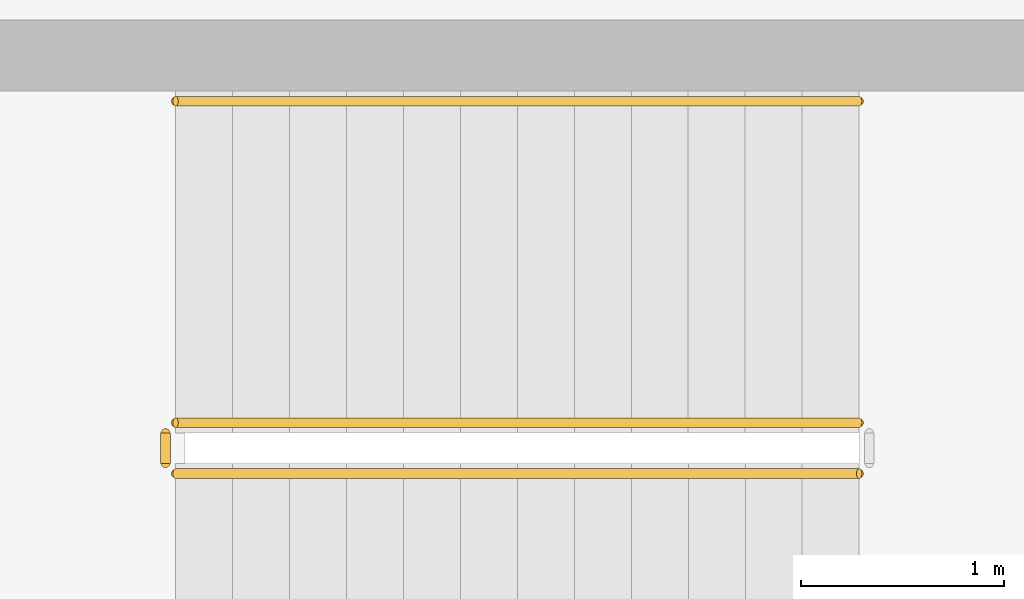
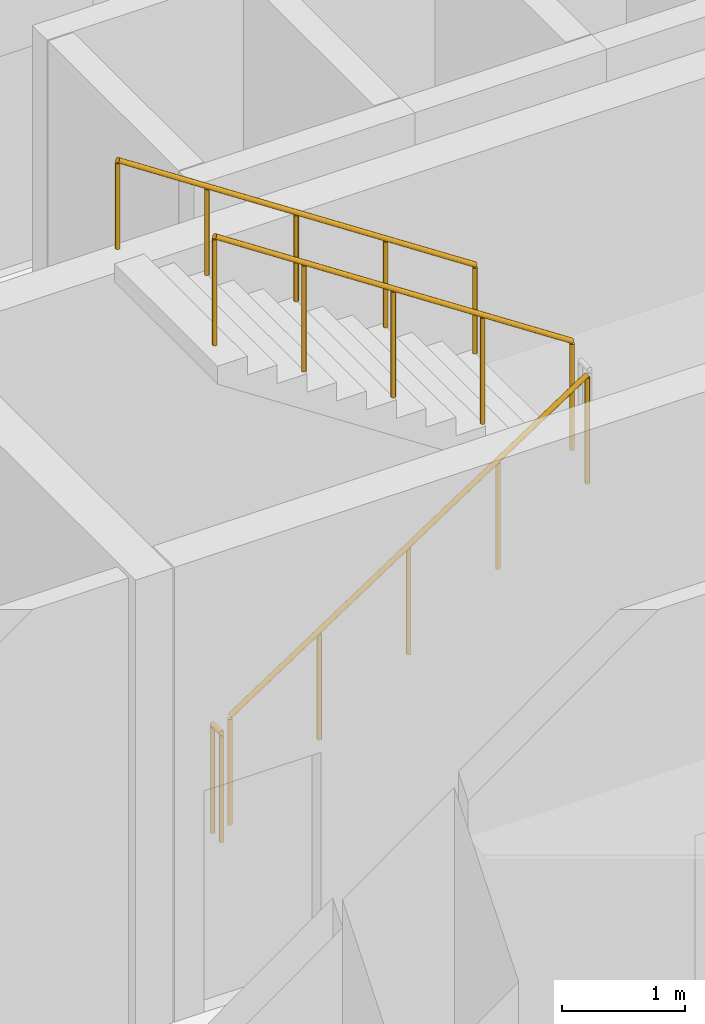
# One storey, part 36 of 42: 4 railings.
"""IFC4 building model written with IfcOpenShell, lengths in metres."""

from ifc_helpers import new_model, si_unit, direction, frame, origin, origin_2d, place, context, subcontext, project, spatial, circle, extrude, material, type_object, element, save


model = new_model("IFC4")

# Units and contexts
model_context = context("Model", 3, precision=1e-05, world=origin(), true_north=direction((0.0, 1.0)))
body_context = subcontext(model_context, "Body", "Model", "MODEL_VIEW")
ifc_project = project(units=[si_unit("LENGTHUNIT", "METRE"), si_unit("AREAUNIT", "SQUARE_METRE"), si_unit("VOLUMEUNIT", "CUBIC_METRE"), si_unit("PLANEANGLEUNIT", "RADIAN"), si_unit("MASSUNIT", "GRAM", prefix="KILO")], contexts=[model_context])

# Site, building, storey
site_placement = place(None, origin())
site = spatial("IfcSite", under=ifc_project, at=site_placement, CompositionType="ELEMENT")
building_placement = place(site_placement, origin())
building = spatial("IfcBuilding", under=site, at=building_placement, Name="Qorvath Tower", CompositionType="ELEMENT")
storey_placement = place(building_placement, frame((0.0, 0.0, 105.0)))
storey = spatial("IfcBuildingStorey", under=building, at=storey_placement, Name="L23", CompositionType="ELEMENT", Elevation=105.0)

# Railings
ifc_material_1 = material(Name="Painted galvanised steel", Category="steel")
railing_type_1 = type_object("IfcRailingType", Name="RL-STR-GRD", PredefinedType="GUARDRAIL", material=ifc_material_1)
railing_1_placement = place(storey_placement, frame((-22.669921875, -6.570068359375, 0.1845703125)))
element("IfcRailing", 1, at=railing_1_placement, inside=storey, type_object=railing_type_1, Name="L23 TS2 stair guard 1", PredefinedType="GUARDRAIL", context=body_context, shape_type="SweptSolid", body=[
    extrude(circle(Radius=0.02392578125, at=origin_2d()), frame((0.0, 0.0, 1.076171875), z_axis=(0.834858096282, 0.0, 0.550465220583), x_axis=(0.0, 1.0, 0.0)), (0.0, 0.0, 1.0), 4.0244140625),
    extrude(circle(Radius=0.02099609375, at=origin_2d()), origin(), (0.0, 0.0, 1.0), 1.052001953125),
    extrude(circle(Radius=0.02099609375, at=origin_2d()), frame((0.83984375, 0.0, 0.5537109375)), (0.0, 0.0, 1.0), 1.052001953125),
    extrude(circle(Radius=0.02099609375, at=origin_2d()), frame((1.679931640625, 0.0, 1.107666015625)), (0.0, 0.0, 1.0), 1.052001953125),
    extrude(circle(Radius=0.02099609375, at=origin_2d()), frame((2.52001953125, 0.0, 1.66162109375)), (0.0, 0.0, 1.0), 1.052001953125),
    extrude(circle(Radius=0.02099609375, at=origin_2d()), frame((3.35986328125, 0.0, 2.21533203125)), (0.0, 0.0, 1.0), 1.052001953125),
])
railing_2_placement = place(storey_placement, frame((-19.31005859375, -6.320068359375, 2.584716796875)))
element("IfcRailing", 2, at=railing_2_placement, inside=storey, type_object=railing_type_1, Name="L23 TS2 stair guard 3", PredefinedType="GUARDRAIL", context=body_context, shape_type="SweptSolid", body=[
    extrude(circle(Radius=0.02392578125, at=origin_2d()), frame((0.0, 0.0, 1.076171875), z_axis=(-0.834858096282, 0.0, 0.550465220583), x_axis=(0.0, -1.0, 0.0)), (0.0, 0.0, 1.0), 4.0244140625),
    extrude(circle(Radius=0.02099609375, at=origin_2d()), origin(), (0.0, 0.0, 1.0), 1.052001953125),
    extrude(circle(Radius=0.02099609375, at=origin_2d()), frame((-0.83984375, 0.0, 0.5537109375)), (0.0, 0.0, 1.0), 1.052001953125),
    extrude(circle(Radius=0.02099609375, at=origin_2d()), frame((-1.679931640625, 0.0, 1.107666015625)), (0.0, 0.0, 1.0), 1.052001953125),
    extrude(circle(Radius=0.02099609375, at=origin_2d()), frame((-2.52001953125, 0.0, 1.66162109375)), (0.0, 0.0, 1.0), 1.052001953125),
    extrude(circle(Radius=0.02099609375, at=origin_2d()), frame((-3.35986328125, 0.0, 2.21533203125)), (0.0, 0.0, 1.0), 1.052001953125),
])
railing_3_placement = place(storey_placement, frame((-22.719970703125, -6.52001953125, 0.0)))
element("IfcRailing", 3, at=railing_3_placement, inside=storey, type_object=railing_type_1, Name="L23 TS2 stair guard 4", PredefinedType="GUARDRAIL", context=body_context, shape_type="SweptSolid", body=[
    extrude(circle(Radius=0.02392578125, at=origin_2d()), frame((0.0, 0.0, 1.076171875), z_axis=(0.0, 1.0, 0.0), x_axis=(-1.0, 0.0, 0.0)), (0.0, 0.0, 1.0), 0.14990234375),
    extrude(circle(Radius=0.02099609375, at=origin_2d()), origin(), (0.0, 0.0, 1.0), 1.052001953125),
    extrude(circle(Radius=0.02099609375, at=origin_2d()), frame((0.0, 0.14990234375, 0.0)), (0.0, 0.0, 1.0), 1.052001953125),
])
ifc_material_2 = material(Name="Brushed stainless steel AISI 304", Category="steel")
railing_type_2 = type_object("IfcRailingType", Name="RL-STR-HND", PredefinedType="HANDRAIL", material=ifc_material_2)
railing_4_placement = place(storey_placement, frame((-19.31005859375, -4.739990234375, 2.584716796875)))
element("IfcRailing", 4, at=railing_4_placement, inside=storey, type_object=railing_type_2, Name="L23 TS2 stair handrail 2", PredefinedType="HANDRAIL", context=body_context, shape_type="SweptSolid", body=[
    extrude(circle(Radius=0.02392578125, at=origin_2d()), frame((0.0, 0.0, 0.8759765625), z_axis=(-0.834858096282, 0.0, 0.550465220583), x_axis=(0.0, -1.0, 0.0)), (0.0, 0.0, 1.0), 4.0244140625),
    extrude(circle(Radius=0.02099609375, at=origin_2d()), origin(), (0.0, 0.0, 1.0), 0.851806640625),
    extrude(circle(Radius=0.02099609375, at=origin_2d()), frame((-0.83984375, 0.0, 0.5537109375)), (0.0, 0.0, 1.0), 0.851806640625),
    extrude(circle(Radius=0.02099609375, at=origin_2d()), frame((-1.679931640625, 0.0, 1.107666015625)), (0.0, 0.0, 1.0), 0.851806640625),
    extrude(circle(Radius=0.02099609375, at=origin_2d()), frame((-2.52001953125, 0.0, 1.66162109375)), (0.0, 0.0, 1.0), 0.851806640625),
    extrude(circle(Radius=0.02099609375, at=origin_2d()), frame((-3.35986328125, 0.0, 2.21533203125)), (0.0, 0.0, 1.0), 0.851806640625),
])

save(model, "model.ifc")
